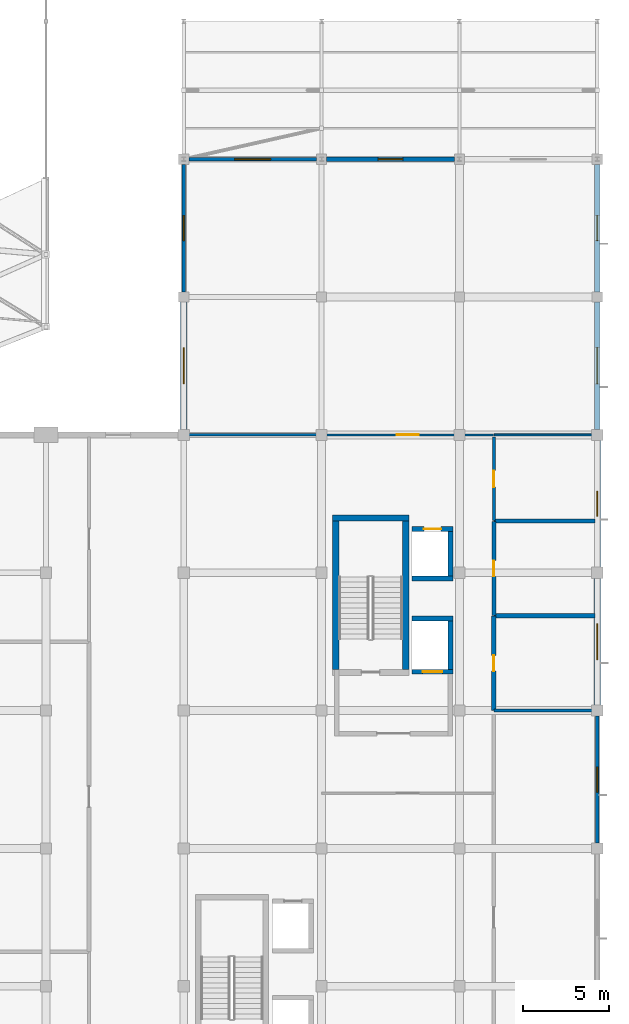
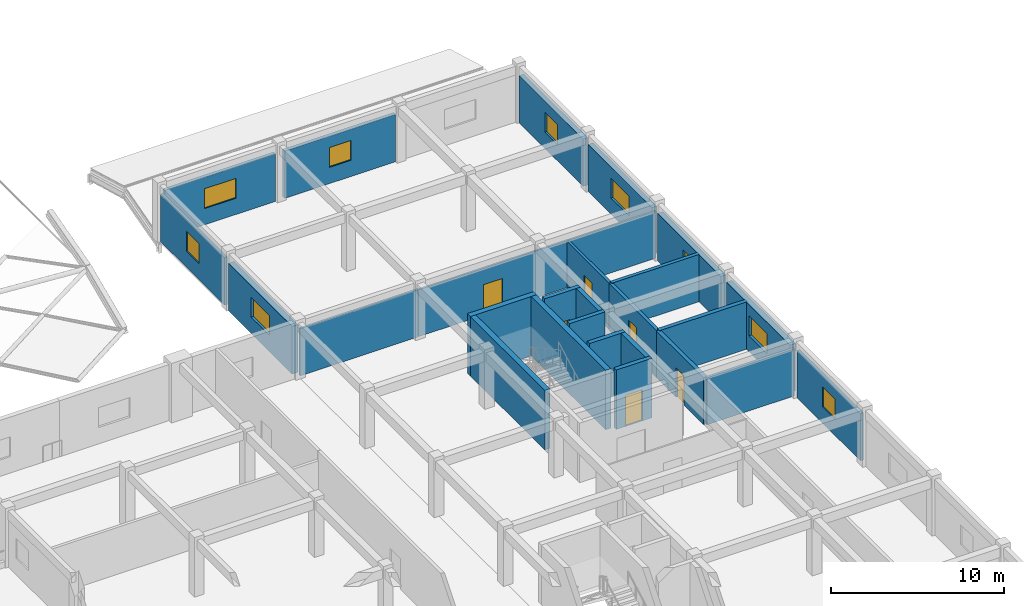
# One storey, part 40 of 54: 27 walls, 9 windows, 6 doors, 15 openings.
"""IFC4 building model written with IfcOpenShell, lengths in metres."""

from ifc_helpers import new_model, si_unit, direction, frame, frame_2d, origin, place, context, subcontext, project, spatial, rectangle, extrude, material, layer, layer_set, type_object, element, fill, save


model = new_model("IFC4")

# Units and contexts
model_context = context("Model", 3, precision=1e-05, world=origin(), true_north=direction((0.0, 1.0)))
body_context = subcontext(model_context, "Body", "Model", "MODEL_VIEW")
ifc_project = project(units=[si_unit("LENGTHUNIT", "METRE"), si_unit("AREAUNIT", "SQUARE_METRE"), si_unit("VOLUMEUNIT", "CUBIC_METRE"), si_unit("PLANEANGLEUNIT", "RADIAN"), si_unit("MASSUNIT", "GRAM", prefix="KILO")], contexts=[model_context])

# Site, building, storey
site_placement = place(None, origin())
site = spatial("IfcSite", under=ifc_project, at=site_placement, CompositionType="ELEMENT")
building_placement = place(site_placement, origin())
building = spatial("IfcBuilding", under=site, at=building_placement, Name="Kenh Van Central Station", CompositionType="ELEMENT")
storey_placement = place(building_placement, frame((0.0, 0.0, 15.0)))
storey = spatial("IfcBuildingStorey", under=building, at=storey_placement, Name="L03", CompositionType="ELEMENT", Elevation=15.0)

# Wall, opening, door
ifc_material_1 = material(Name="Concrete C40/50", Category="concrete")
ifc_layer_1 = layer(ifc_material_1, 0.280029296875, Name="Concrete C40/50")
ifc_layer_set_1 = layer_set([ifc_layer_1], Name="Concrete C40/50")
wall_type_1 = type_object("IfcWallType", Name="WL-CORE-280", PredefinedType="SHEAR", material=ifc_layer_set_1)
wall_1_placement = place(storey_placement, frame((165.25, 50.260009765625, 0.0), z_axis=(0.0, 0.0, 1.0), x_axis=(1.0, 0.0, 0.0)))
wall_1 = element("IfcWall", 1, at=wall_1_placement, inside=storey, type_object=wall_type_1, Name="L03 LIFT-FF2 shaft wall S", PredefinedType="SHEAR", context=body_context, shape_type="SweptSolid", body=[
    extrude(rectangle(XDim=2.3798828125, YDim=0.280029296875, at=frame_2d((1.18994140625, 0.0))), origin(), (0.0, 0.0, 1.0), 4.199951171875),
])
opening_1_placement = place(wall_1_placement, frame((0.614990234375, 0.0, 0.0)))
opening_1 = element("IfcOpeningElement", 2, at=opening_1_placement, cuts=wall_1, Name="Opening LD-FF1", PredefinedType="OPENING", context=body_context, shape_type="SweptSolid", body=[
    extrude(rectangle(XDim=1.14990234375, YDim=2.199951171875, at=frame_2d((0.574951171875, 1.10009765625))), frame((0.0, 0.14990234375, 0.0), z_axis=(0.0, -1.0, 0.0), x_axis=(1.0, 0.0, 0.0)), (0.0, 0.0, 1.0), 0.300048828125),
])
ifc_material_2 = material(Name="Champagne anodised aluminium", Category="aluminium")
door_type_1 = type_object("IfcDoorType", Name="DR-LIFT-1150x2200", OperationType="SLIDING_TO_LEFT", PredefinedType="DOOR", material=ifc_material_2)
door_1_placement = place(opening_1_placement, origin())
door_1 = element("IfcDoor", 3, at=door_1_placement, inside=storey, type_object=door_type_1, Name="L03 LIFT-FF2 sliding landing door", OperationType="SLIDING_TO_LEFT", OverallHeight=2.199951171875, OverallWidth=1.14990234375, PredefinedType="DOOR", context=body_context, shape_type="SweptSolid", body=[
    extrude(rectangle(XDim=1.14990234375, YDim=2.199951171875, at=frame_2d((0.574951171875, 1.10009765625))), frame((0.0, 0.02490234375, 0.0), z_axis=(0.0, -1.0, 0.0), x_axis=(1.0, 0.0, 0.0)), (0.0, 0.0, 1.0), 0.050048828125),
])
fill(opening_1, door_1)

# Walls
wall_2_placement = place(storey_placement, frame((165.25, 53.340087890625, 0.0), z_axis=(0.0, 0.0, 1.0), x_axis=(1.0, 0.0, 0.0)))
element("IfcWall", 4, at=wall_2_placement, inside=storey, type_object=wall_type_1, Name="L03 LIFT-FF2 shaft wall N", PredefinedType="SHEAR", context=body_context, shape_type="SweptSolid", body=[
    extrude(rectangle(XDim=2.3798828125, YDim=0.280029296875, at=frame_2d((1.18994140625, 0.0))), origin(), (0.0, 0.0, 1.0), 4.199951171875),
])
wall_3_placement = place(storey_placement, frame((167.489990234375, 50.39990234375, 0.0), z_axis=(0.0, 0.0, 1.0), x_axis=(0.0, 1.0, 0.0)))
element("IfcWall", 5, at=wall_3_placement, inside=storey, type_object=wall_type_1, Name="L03 LIFT-FF2 shaft wall E", PredefinedType="SHEAR", context=body_context, shape_type="SweptSolid", body=[
    extrude(rectangle(XDim=2.800048828125, YDim=0.280029296875, at=frame_2d((1.39990234375, 0.0))), origin(), (0.0, 0.0, 1.0), 4.199951171875),
])
wall_4_placement = place(storey_placement, frame((165.25, 55.659912109375, 0.0), z_axis=(0.0, 0.0, 1.0), x_axis=(1.0, 0.0, 0.0)))
element("IfcWall", 6, at=wall_4_placement, inside=storey, type_object=wall_type_1, Name="L03 LIFT-OP2 shaft wall S", PredefinedType="SHEAR", context=body_context, shape_type="SweptSolid", body=[
    extrude(rectangle(XDim=2.3798828125, YDim=0.280029296875, at=frame_2d((1.18994140625, 0.0))), origin(), (0.0, 0.0, 1.0), 4.199951171875),
])

# Wall, opening, door
wall_5_placement = place(storey_placement, frame((165.25, 58.5400390625, 0.0), z_axis=(0.0, 0.0, 1.0), x_axis=(1.0, 0.0, 0.0)))
wall_5 = element("IfcWall", 7, at=wall_5_placement, inside=storey, type_object=wall_type_1, Name="L03 LIFT-OP2 shaft wall N", PredefinedType="SHEAR", context=body_context, shape_type="SweptSolid", body=[
    extrude(rectangle(XDim=2.3798828125, YDim=0.280029296875, at=frame_2d((1.18994140625, 0.0))), origin(), (0.0, 0.0, 1.0), 4.199951171875),
])
opening_2_placement = place(wall_5_placement, frame((0.68994140625, 0.0, 0.0)))
opening_2 = element("IfcOpeningElement", 8, at=opening_2_placement, cuts=wall_5, Name="Opening LD-OP1", PredefinedType="OPENING", context=body_context, shape_type="SweptSolid", body=[
    extrude(rectangle(XDim=1.0, YDim=2.14990234375, at=frame_2d((0.5, 1.074951171875))), frame((0.0, 0.14990234375, 0.0), z_axis=(0.0, -1.0, 0.0), x_axis=(1.0, 0.0, 0.0)), (0.0, 0.0, 1.0), 0.300048828125),
])
door_type_2 = type_object("IfcDoorType", Name="DR-LIFT-1000x2150", OperationType="SLIDING_TO_LEFT", PredefinedType="DOOR", material=ifc_material_2)
door_2_placement = place(opening_2_placement, origin())
door_2 = element("IfcDoor", 9, at=door_2_placement, inside=storey, type_object=door_type_2, Name="L03 LIFT-OP2 sliding landing door", OperationType="SLIDING_TO_LEFT", OverallHeight=2.14990234375, OverallWidth=1.0, PredefinedType="DOOR", context=body_context, shape_type="SweptSolid", body=[
    extrude(rectangle(XDim=1.0, YDim=2.14990234375, at=frame_2d((0.5, 1.074951171875))), frame((0.0, 0.02490234375, 0.0), z_axis=(0.0, -1.0, 0.0), x_axis=(1.0, 0.0, 0.0)), (0.0, 0.0, 1.0), 0.050048828125),
])
fill(opening_2, door_2)

# Walls
wall_6_placement = place(storey_placement, frame((167.489990234375, 55.800048828125, 0.0), z_axis=(0.0, 0.0, 1.0), x_axis=(0.0, 1.0, 0.0)))
element("IfcWall", 10, at=wall_6_placement, inside=storey, type_object=wall_type_1, Name="L03 LIFT-OP2 shaft wall E", PredefinedType="SHEAR", context=body_context, shape_type="SweptSolid", body=[
    extrude(rectangle(XDim=2.599853515625, YDim=0.280029296875, at=frame_2d((1.2998046875, 0.0))), origin(), (0.0, 0.0, 1.0), 4.199951171875),
])
ifc_layer_2 = layer(ifc_material_1, 0.360107421875, Name="Concrete C40/50")
ifc_layer_set_2 = layer_set([ifc_layer_2], Name="Concrete C40/50")
wall_type_2 = type_object("IfcWallType", Name="WL-CORE-360", PredefinedType="SHEAR", material=ifc_layer_set_2)
wall_7_placement = place(storey_placement, frame((160.639892578125, 59.179931640625, 0.0), z_axis=(0.0, 0.0, 1.0), x_axis=(1.0, 0.0, 0.0)))
element("IfcWall", 11, at=wall_7_placement, inside=storey, type_object=wall_type_2, Name="L03 CORE-10 stair wall N", PredefinedType="SHEAR", context=body_context, shape_type="SweptSolid", body=[
    extrude(rectangle(XDim=4.420166015625, YDim=0.360107421875, at=frame_2d((2.2099609375, 0.0))), origin(), (0.0, 0.0, 1.0), 4.199951171875),
])
for number, where, z_axis, x_axis, name in (
    (12, (160.820068359375, 50.39990234375, 0.0), (0.0, 0.0, 1.0), (0.0, 1.0, 0.0), "L03 CORE-10 stair wall W"),
    (13, (164.8798828125, 50.39990234375, 0.0), (0.0, 0.0, 1.0), (0.0, 1.0, 0.0), "L03 CORE-10 stair wall E"),
):
    element("IfcWall", number, at=place(storey_placement, frame(where, z_axis=z_axis, x_axis=x_axis)), inside=storey, type_object=wall_type_2, Name=name, PredefinedType="SHEAR", context=body_context, shape_type="SweptSolid", body=[
        extrude(rectangle(XDim=8.60009765625, YDim=0.360107421875, at=frame_2d((4.300048828125, 0.0))), origin(), (0.0, 0.0, 1.0), 4.199951171875),
    ])

# Wall, opening, window
ifc_material_3 = material(Name="Saigon buff sandstone and terracotta masonry", Category="masonry")
ifc_layer_3 = layer(ifc_material_3, 0.31005859375, Name="Saigon buff sandstone and terracotta masonry")
ifc_layer_set_3 = layer_set([ifc_layer_3], Name="Saigon buff sandstone and terracotta masonry")
wall_type_3 = type_object("IfcWallType", Name="WL-EXT-310", PredefinedType="STANDARD", material=ifc_layer_set_3)
wall_8_placement = place(storey_placement, frame((176.0, 72.300048828125, 0.0), z_axis=(0.0, 0.0, 1.0), x_axis=(0.0, 1.0, 0.0)))
wall_8 = element("IfcWall", 14, at=wall_8_placement, inside=storey, type_object=wall_type_3, Name="L03 exterior wall 115", PredefinedType="STANDARD", context=body_context, shape_type="SweptSolid", body=[
    extrude(rectangle(XDim=7.39990234375, YDim=0.31005859375, at=frame_2d((3.699951171875, 0.0))), origin(), (0.0, 0.0, 1.0), 3.340087890625),
])
opening_3_placement = place(wall_8_placement, frame((2.97509765625, 0.0, 1.14990234375)))
opening_3 = element("IfcOpeningElement", 15, at=opening_3_placement, cuts=wall_8, Name="Opening WN-19", PredefinedType="OPENING", context=body_context, shape_type="SweptSolid", body=[
    extrude(rectangle(XDim=1.449951171875, YDim=1.39990234375, at=frame_2d((0.72509765625, 0.699951171875))), frame((0.0, 0.1650390625, 0.0), z_axis=(0.0, -1.0, 0.0), x_axis=(1.0, 0.0, 0.0)), (0.0, 0.0, 1.0), 0.330078125),
])
ifc_material_4 = material(Name="Double-glazed low-E laminated solar glass", Category="glass")
window_type_1 = type_object("IfcWindowType", Name="WN-OP03-1450x1400", PartitioningType="SINGLE_PANEL", PredefinedType="WINDOW", material=ifc_material_4)
window_1_placement = place(opening_3_placement, origin())
window_1 = element("IfcWindow", 16, at=window_1_placement, inside=storey, type_object=window_type_1, Name="L03 window 085", OverallHeight=1.39990234375, OverallWidth=1.449951171875, PartitioningType="SINGLE_PANEL", PredefinedType="WINDOW", context=body_context, shape_type="SweptSolid", body=[
    extrude(rectangle(XDim=1.449951171875, YDim=1.39990234375, at=frame_2d((0.72509765625, 0.699951171875))), frame((0.0, 0.030029296875, 0.0), z_axis=(0.0, -1.0, 0.0), x_axis=(1.0, 0.0, 0.0)), (0.0, 0.0, 1.0), 0.06005859375),
])
fill(opening_3, window_1)

ifc_layer_4 = layer(ifc_material_3, 0.330078125, Name="Saigon buff sandstone and terracotta masonry")
ifc_layer_set_4 = layer_set([ifc_layer_4], Name="Saigon buff sandstone and terracotta masonry")
wall_type_4 = type_object("IfcWallType", Name="WL-EXT-330", PredefinedType="STANDARD", material=ifc_layer_set_4)
wall_9_placement = place(storey_placement, frame((176.0, 64.324951171875, 0.0), z_axis=(0.0, 0.0, 1.0), x_axis=(0.0, 1.0, 0.0)))
wall_9 = element("IfcWall", 17, at=wall_9_placement, inside=storey, type_object=wall_type_4, Name="L03 exterior wall 114", PredefinedType="STANDARD", context=body_context, shape_type="SweptSolid", body=[
    extrude(rectangle(XDim=7.375, YDim=0.330078125, at=frame_2d((3.6875, 0.0))), origin(), (0.0, 0.0, 1.0), 3.340087890625),
])
opening_4_placement = place(wall_9_placement, frame((2.637451171875, 0.0, 1.14990234375)))
opening_4 = element("IfcOpeningElement", 18, at=opening_4_placement, cuts=wall_9, Name="Opening WN-18", PredefinedType="OPENING", context=body_context, shape_type="SweptSolid", body=[
    extrude(rectangle(XDim=2.10009765625, YDim=1.39990234375, at=frame_2d((1.050048828125, 0.699951171875))), frame((0.0, 0.175048828125, 0.0), z_axis=(0.0, -1.0, 0.0), x_axis=(1.0, 0.0, 0.0)), (0.0, 0.0, 1.0), 0.35009765625),
])
window_type_2 = type_object("IfcWindowType", Name="WN-OP03-2100x1400", PartitioningType="DOUBLE_PANEL_VERTICAL", PredefinedType="WINDOW", material=ifc_material_4)
window_2_placement = place(opening_4_placement, origin())
window_2 = element("IfcWindow", 19, at=window_2_placement, inside=storey, type_object=window_type_2, Name="L03 window 084", OverallHeight=1.39990234375, OverallWidth=2.10009765625, PartitioningType="SINGLE_PANEL", PredefinedType="WINDOW", context=body_context, shape_type="SweptSolid", body=[
    extrude(rectangle(XDim=2.10009765625, YDim=1.39990234375, at=frame_2d((1.050048828125, 0.699951171875))), frame((0.0, 0.030029296875, 0.0), z_axis=(0.0, -1.0, 0.0), x_axis=(1.0, 0.0, 0.0)), (0.0, 0.0, 1.0), 0.06005859375),
])
fill(opening_4, window_2)

ifc_layer_5 = layer(ifc_material_3, 0.35009765625, Name="Saigon buff sandstone and terracotta masonry")
ifc_layer_set_5 = layer_set([ifc_layer_5], Name="Saigon buff sandstone and terracotta masonry")
wall_type_5 = type_object("IfcWallType", Name="WL-EXT-350", PredefinedType="STANDARD", material=ifc_layer_set_5)
wall_10_placement = place(storey_placement, frame((176.0, 56.324951171875, 0.0), z_axis=(0.0, 0.0, 1.0), x_axis=(0.0, 1.0, 0.0)))
wall_10 = element("IfcWall", 20, at=wall_10_placement, inside=storey, type_object=wall_type_5, Name="L03 exterior wall 113", PredefinedType="STANDARD", context=body_context, shape_type="SweptSolid", body=[
    extrude(rectangle(XDim=7.35009765625, YDim=0.35009765625, at=frame_2d((3.675048828125, 0.0))), origin(), (0.0, 0.0, 1.0), 3.340087890625),
])
opening_5_placement = place(wall_10_placement, frame((2.949951171875, 0.0, 1.14990234375)))
opening_5 = element("IfcOpeningElement", 21, at=opening_5_placement, cuts=wall_10, Name="Opening WN-19", PredefinedType="OPENING", context=body_context, shape_type="SweptSolid", body=[
    extrude(rectangle(XDim=1.449951171875, YDim=1.39990234375, at=frame_2d((0.72509765625, 0.699951171875))), frame((0.0, 0.18505859375, 0.0), z_axis=(0.0, -1.0, 0.0), x_axis=(1.0, 0.0, 0.0)), (0.0, 0.0, 1.0), 0.3701171875),
])
window_3_placement = place(opening_5_placement, origin())
window_3 = element("IfcWindow", 22, at=window_3_placement, inside=storey, type_object=window_type_1, Name="L03 window 083", OverallHeight=1.39990234375, OverallWidth=1.449951171875, PartitioningType="SINGLE_PANEL", PredefinedType="WINDOW", context=body_context, shape_type="SweptSolid", body=[
    extrude(rectangle(XDim=1.449951171875, YDim=1.39990234375, at=frame_2d((0.72509765625, 0.699951171875))), frame((0.0, 0.030029296875, 0.0), z_axis=(0.0, -1.0, 0.0), x_axis=(1.0, 0.0, 0.0)), (0.0, 0.0, 1.0), 0.06005859375),
])
fill(opening_5, window_3)

ifc_layer_6 = layer(ifc_material_3, 0.3798828125, Name="Saigon buff sandstone and terracotta masonry")
ifc_layer_set_6 = layer_set([ifc_layer_6], Name="Saigon buff sandstone and terracotta masonry")
wall_type_6 = type_object("IfcWallType", Name="WL-EXT-380", PredefinedType="STANDARD", material=ifc_layer_set_6)
wall_11_placement = place(storey_placement, frame((176.0, 48.324951171875, 0.0), z_axis=(0.0, 0.0, 1.0), x_axis=(0.0, 1.0, 0.0)))
wall_11 = element("IfcWall", 23, at=wall_11_placement, inside=storey, type_object=wall_type_6, Name="L03 exterior wall 112", PredefinedType="STANDARD", context=body_context, shape_type="SweptSolid", body=[
    extrude(rectangle(XDim=7.35009765625, YDim=0.3798828125, at=frame_2d((3.675048828125, 0.0))), origin(), (0.0, 0.0, 1.0), 3.340087890625),
])
opening_6_placement = place(wall_11_placement, frame((2.625, 0.0, 1.14990234375)))
opening_6 = element("IfcOpeningElement", 24, at=opening_6_placement, cuts=wall_11, Name="Opening WN-18", PredefinedType="OPENING", context=body_context, shape_type="SweptSolid", body=[
    extrude(rectangle(XDim=2.10009765625, YDim=1.39990234375, at=frame_2d((1.050048828125, 0.699951171875))), frame((0.0, 0.199951171875, 0.0), z_axis=(0.0, -1.0, 0.0), x_axis=(1.0, 0.0, 0.0)), (0.0, 0.0, 1.0), 0.39990234375),
])
window_4_placement = place(opening_6_placement, origin())
window_4 = element("IfcWindow", 25, at=window_4_placement, inside=storey, type_object=window_type_2, Name="L03 window 082", OverallHeight=1.39990234375, OverallWidth=2.10009765625, PartitioningType="SINGLE_PANEL", PredefinedType="WINDOW", context=body_context, shape_type="SweptSolid", body=[
    extrude(rectangle(XDim=2.10009765625, YDim=1.39990234375, at=frame_2d((1.050048828125, 0.699951171875))), frame((0.0, 0.030029296875, 0.0), z_axis=(0.0, -1.0, 0.0), x_axis=(1.0, 0.0, 0.0)), (0.0, 0.0, 1.0), 0.06005859375),
])
fill(opening_6, window_4)

wall_12_placement = place(storey_placement, frame((152.0, 71.699951171875, 0.0), z_axis=(0.0, 0.0, 1.0), x_axis=(0.0, -1.0, 0.0)))
wall_12 = element("IfcWall", 26, at=wall_12_placement, inside=storey, type_object=wall_type_6, Name="L03 exterior wall 120", PredefinedType="STANDARD", context=body_context, shape_type="SweptSolid", body=[
    extrude(rectangle(XDim=7.375, YDim=0.3798828125, at=frame_2d((3.6875, 0.0))), origin(), (0.0, 0.0, 1.0), 3.360107421875),
])
opening_7_placement = place(wall_12_placement, frame((2.637451171875, 0.0, 1.14990234375)))
opening_7 = element("IfcOpeningElement", 27, at=opening_7_placement, cuts=wall_12, Name="Opening WN-18", PredefinedType="OPENING", context=body_context, shape_type="SweptSolid", body=[
    extrude(rectangle(XDim=2.10009765625, YDim=1.39990234375, at=frame_2d((1.050048828125, 0.699951171875))), frame((0.0, 0.199951171875, 0.0), z_axis=(0.0, -1.0, 0.0), x_axis=(1.0, 0.0, 0.0)), (0.0, 0.0, 1.0), 0.39990234375),
])
window_5_placement = place(opening_7_placement, origin())
window_5 = element("IfcWindow", 28, at=window_5_placement, inside=storey, type_object=window_type_2, Name="L03 window 090", OverallHeight=1.39990234375, OverallWidth=2.10009765625, PartitioningType="SINGLE_PANEL", PredefinedType="WINDOW", context=body_context, shape_type="SweptSolid", body=[
    extrude(rectangle(XDim=2.10009765625, YDim=1.39990234375, at=frame_2d((1.050048828125, 0.699951171875))), frame((0.0, 0.030029296875, 0.0), z_axis=(0.0, -1.0, 0.0), x_axis=(1.0, 0.0, 0.0)), (0.0, 0.0, 1.0), 0.06005859375),
])
fill(opening_7, window_5)

# Wall
ifc_material_5 = material(Name="Lightweight acoustic masonry blockwork", Category="masonry")
ifc_layer_7 = layer(ifc_material_5, 0.114990234375, Name="Lightweight acoustic masonry blockwork")
ifc_layer_set_7 = layer_set([ifc_layer_7], Name="Lightweight acoustic masonry blockwork")
wall_type_7 = type_object("IfcWallType", Name="WL-PART-115", PredefinedType="PARTITIONING", material=ifc_layer_set_7)
wall_13_placement = place(storey_placement, frame((170.02001953125, 64.0, 0.0), z_axis=(0.0, 0.0, 1.0), x_axis=(1.0, 0.0, 0.0)))
element("IfcWall", 29, at=wall_13_placement, inside=storey, type_object=wall_type_7, Name="L03 interior wall 0187", PredefinedType="PARTITIONING", context=body_context, shape_type="SweptSolid", body=[
    extrude(rectangle(XDim=5.85986328125, YDim=0.114990234375, at=frame_2d((2.929931640625, 0.0))), origin(), (0.0, 0.0, 1.0), 3.31005859375),
])

# Wall, opening, door
ifc_layer_8 = layer(ifc_material_5, 0.125, Name="Lightweight acoustic masonry blockwork")
ifc_layer_set_8 = layer_set([ifc_layer_8], Name="Lightweight acoustic masonry blockwork")
wall_type_8 = type_object("IfcWallType", Name="WL-PART-125", PredefinedType="PARTITIONING", material=ifc_layer_set_8)
wall_14_placement = place(storey_placement, frame((160.02001953125, 64.0, 0.0), z_axis=(0.0, 0.0, 1.0), x_axis=(1.0, 0.0, 0.0)))
wall_14 = element("IfcWall", 30, at=wall_14_placement, inside=storey, type_object=wall_type_8, Name="L03 interior wall 0186", PredefinedType="PARTITIONING", context=body_context, shape_type="SweptSolid", body=[
    extrude(rectangle(XDim=9.9599609375, YDim=0.125, at=frame_2d((4.97998046875, 0.0))), origin(), (0.0, 0.0, 1.0), 3.31005859375),
])
opening_8_placement = place(wall_14_placement, frame((4.35498046875, 0.0, 0.0)))
opening_8 = element("IfcOpeningElement", 31, at=opening_8_placement, cuts=wall_14, Name="Opening D-IN04", PredefinedType="OPENING", context=body_context, shape_type="SweptSolid", body=[
    extrude(rectangle(XDim=1.25, YDim=2.14990234375, at=frame_2d((0.625, 1.074951171875))), frame((0.0, 0.072509765625, 0.0), z_axis=(0.0, -1.0, 0.0), x_axis=(1.0, 0.0, 0.0)), (0.0, 0.0, 1.0), 0.14501953125),
])
ifc_material_6 = material(Name="Architectural hardwood timber", Category="wood")
door_type_3 = type_object("IfcDoorType", Name="DR-INT-1250x2150", OperationType="NOTDEFINED", PredefinedType="DOOR", material=ifc_material_6)
door_3_placement = place(opening_8_placement, origin())
door_3 = element("IfcDoor", 32, at=door_3_placement, inside=storey, type_object=door_type_3, Name="L03 interior door 0102", OperationType="SINGLE_SWING_LEFT", OverallHeight=2.14990234375, OverallWidth=1.25, PredefinedType="DOOR", context=body_context, shape_type="SweptSolid", body=[
    extrude(rectangle(XDim=1.25, YDim=2.14990234375, at=frame_2d((0.625, 1.074951171875))), frame((0.0, 0.02490234375, 0.0), z_axis=(0.0, -1.0, 0.0), x_axis=(1.0, 0.0, 0.0)), (0.0, 0.0, 1.0), 0.050048828125),
])
fill(opening_8, door_3)

# Walls
ifc_layer_9 = layer(ifc_material_5, 0.135009765625, Name="Lightweight acoustic masonry blockwork")
ifc_layer_set_9 = layer_set([ifc_layer_9], Name="Lightweight acoustic masonry blockwork")
wall_type_9 = type_object("IfcWallType", Name="WL-PART-135", PredefinedType="PARTITIONING", material=ifc_layer_set_9)
wall_15_placement = place(storey_placement, frame((152.1201171875, 64.0, 0.0), z_axis=(0.0, 0.0, 1.0), x_axis=(1.0, 0.0, 0.0)))
element("IfcWall", 33, at=wall_15_placement, inside=storey, type_object=wall_type_9, Name="L03 interior wall 0185", PredefinedType="PARTITIONING", context=body_context, shape_type="SweptSolid", body=[
    extrude(rectangle(XDim=7.85986328125, YDim=0.135009765625, at=frame_2d((3.929931640625, 0.0))), origin(), (0.0, 0.0, 1.0), 3.340087890625),
])
ifc_layer_10 = layer(ifc_material_5, 0.18505859375, Name="Lightweight acoustic masonry blockwork")
ifc_layer_set_10 = layer_set([ifc_layer_10], Name="Lightweight acoustic masonry blockwork")
wall_type_10 = type_object("IfcWallType", Name="WL-PLMB-185", PredefinedType="PLUMBINGWALL", material=ifc_layer_set_10)
wall_16_placement = place(storey_placement, frame((170.02001953125, 48.0, 0.0), z_axis=(0.0, 0.0, 1.0), x_axis=(1.0, 0.0, 0.0)))
element("IfcWall", 34, at=wall_16_placement, inside=storey, type_object=wall_type_10, Name="L03 interior wall 0179", PredefinedType="PLUMBINGWALL", context=body_context, shape_type="SweptSolid", body=[
    extrude(rectangle(XDim=5.85986328125, YDim=0.18505859375, at=frame_2d((2.929931640625, 0.0))), origin(), (0.0, 0.0, 1.0), 3.31005859375),
])

# Wall, opening, door
wall_17_placement = place(storey_placement, frame((170.0, 59.02001953125, 0.0), z_axis=(0.0, 0.0, 1.0), x_axis=(0.0, 1.0, 0.0)))
wall_17 = element("IfcWall", 35, at=wall_17_placement, inside=storey, type_object=wall_type_10, Name="L03 interior wall 0182", PredefinedType="PLUMBINGWALL", context=body_context, shape_type="SweptSolid", body=[
    extrude(rectangle(XDim=4.85986328125, YDim=0.18505859375, at=frame_2d((2.429931640625, 0.0))), origin(), (0.0, 0.0, 1.0), 3.31005859375),
])
opening_9_placement = place(wall_17_placement, frame((1.949951171875, 0.0, 0.0)))
opening_9 = element("IfcOpeningElement", 36, at=opening_9_placement, cuts=wall_17, Name="Opening D-IN08", PredefinedType="OPENING", context=body_context, shape_type="SweptSolid", body=[
    extrude(rectangle(XDim=0.9599609375, YDim=2.10009765625, at=frame_2d((0.47998046875, 1.050048828125))), frame((0.0, 0.1025390625, 0.0), z_axis=(0.0, -1.0, 0.0), x_axis=(1.0, 0.0, 0.0)), (0.0, 0.0, 1.0), 0.205078125),
])
door_type_4 = type_object("IfcDoorType", Name="DR-INT-960x2100", OperationType="NOTDEFINED", PredefinedType="DOOR", material=ifc_material_6)
door_4_placement = place(opening_9_placement, origin())
door_4 = element("IfcDoor", 37, at=door_4_placement, inside=storey, type_object=door_type_4, Name="L03 interior door 0101", OperationType="SINGLE_SWING_RIGHT", OverallHeight=2.10009765625, OverallWidth=0.9599609375, PredefinedType="DOOR", context=body_context, shape_type="SweptSolid", body=[
    extrude(rectangle(XDim=0.9599609375, YDim=2.10009765625, at=frame_2d((0.47998046875, 1.050048828125))), frame((0.0, 0.02490234375, 0.0), z_axis=(0.0, -1.0, 0.0), x_axis=(1.0, 0.0, 0.0)), (0.0, 0.0, 1.0), 0.050048828125),
])
fill(opening_9, door_4)

ifc_layer_11 = layer(ifc_material_5, 0.22998046875, Name="Lightweight acoustic masonry blockwork")
ifc_layer_set_11 = layer_set([ifc_layer_11], Name="Lightweight acoustic masonry blockwork")
wall_type_11 = type_object("IfcWallType", Name="WL-PLMB-230", PredefinedType="PLUMBINGWALL", material=ifc_layer_set_11)
wall_18_placement = place(storey_placement, frame((170.0, 53.52001953125, 0.0), z_axis=(0.0, 0.0, 1.0), x_axis=(0.0, 1.0, 0.0)))
wall_18 = element("IfcWall", 38, at=wall_18_placement, inside=storey, type_object=wall_type_11, Name="L03 interior wall 0181", PredefinedType="PLUMBINGWALL", context=body_context, shape_type="SweptSolid", body=[
    extrude(rectangle(XDim=5.4599609375, YDim=0.22998046875, at=frame_2d((2.72998046875, 0.0))), origin(), (0.0, 0.0, 1.0), 3.31005859375),
])
opening_10_placement = place(wall_18_placement, frame((2.27001953125, 0.0, 0.0)))
opening_10 = element("IfcOpeningElement", 39, at=opening_10_placement, cuts=wall_18, Name="Opening D-IN09", PredefinedType="OPENING", context=body_context, shape_type="SweptSolid", body=[
    extrude(rectangle(XDim=0.919921875, YDim=2.10009765625, at=frame_2d((0.4599609375, 1.050048828125))), frame((0.0, 0.125, 0.0), z_axis=(0.0, -1.0, 0.0), x_axis=(1.0, 0.0, 0.0)), (0.0, 0.0, 1.0), 0.25),
])
door_type_5 = type_object("IfcDoorType", Name="DR-INT-920x2100", OperationType="NOTDEFINED", PredefinedType="DOOR", material=ifc_material_6)
door_5_placement = place(opening_10_placement, origin())
door_5 = element("IfcDoor", 40, at=door_5_placement, inside=storey, type_object=door_type_5, Name="L03 interior door 0100", OperationType="SINGLE_SWING_LEFT", OverallHeight=2.10009765625, OverallWidth=0.919921875, PredefinedType="DOOR", context=body_context, shape_type="SweptSolid", body=[
    extrude(rectangle(XDim=0.919921875, YDim=2.10009765625, at=frame_2d((0.4599609375, 1.050048828125))), frame((0.0, 0.02490234375, 0.0), z_axis=(0.0, -1.0, 0.0), x_axis=(1.0, 0.0, 0.0)), (0.0, 0.0, 1.0), 0.050048828125),
])
fill(opening_10, door_5)

# Wall
wall_19_placement = place(storey_placement, frame((170.02001953125, 59.0, 0.0), z_axis=(0.0, 0.0, 1.0), x_axis=(1.0, 0.0, 0.0)))
element("IfcWall", 41, at=wall_19_placement, inside=storey, type_object=wall_type_11, Name="L03 interior wall 0184", PredefinedType="PLUMBINGWALL", context=body_context, shape_type="SweptSolid", body=[
    extrude(rectangle(XDim=5.85986328125, YDim=0.22998046875, at=frame_2d((2.929931640625, 0.0))), origin(), (0.0, 0.0, 1.0), 3.340087890625),
])

# Wall, opening, door
ifc_layer_12 = layer(ifc_material_5, 0.27001953125, Name="Lightweight acoustic masonry blockwork")
ifc_layer_set_12 = layer_set([ifc_layer_12], Name="Lightweight acoustic masonry blockwork")
wall_type_12 = type_object("IfcWallType", Name="WL-PLMB-270", PredefinedType="PLUMBINGWALL", material=ifc_layer_set_12)
wall_20_placement = place(storey_placement, frame((170.0, 48.02001953125, 0.0), z_axis=(0.0, 0.0, 1.0), x_axis=(0.0, 1.0, 0.0)))
wall_20 = element("IfcWall", 42, at=wall_20_placement, inside=storey, type_object=wall_type_12, Name="L03 interior wall 0180", PredefinedType="PLUMBINGWALL", context=body_context, shape_type="SweptSolid", body=[
    extrude(rectangle(XDim=5.4599609375, YDim=0.27001953125, at=frame_2d((2.72998046875, 0.0))), origin(), (0.0, 0.0, 1.0), 3.31005859375),
])
opening_11_placement = place(wall_20_placement, frame((2.27001953125, 0.0, 0.0)))
opening_11 = element("IfcOpeningElement", 43, at=opening_11_placement, cuts=wall_20, Name="Opening D-IN09", PredefinedType="OPENING", context=body_context, shape_type="SweptSolid", body=[
    extrude(rectangle(XDim=0.919921875, YDim=2.10009765625, at=frame_2d((0.4599609375, 1.050048828125))), frame((0.0, 0.14501953125, 0.0), z_axis=(0.0, -1.0, 0.0), x_axis=(1.0, 0.0, 0.0)), (0.0, 0.0, 1.0), 0.2900390625),
])
door_6_placement = place(opening_11_placement, origin())
door_6 = element("IfcDoor", 44, at=door_6_placement, inside=storey, type_object=door_type_5, Name="L03 interior door 0099", OperationType="SINGLE_SWING_RIGHT", OverallHeight=2.10009765625, OverallWidth=0.919921875, PredefinedType="DOOR", context=body_context, shape_type="SweptSolid", body=[
    extrude(rectangle(XDim=0.919921875, YDim=2.10009765625, at=frame_2d((0.4599609375, 1.050048828125))), frame((0.0, 0.02490234375, 0.0), z_axis=(0.0, -1.0, 0.0), x_axis=(1.0, 0.0, 0.0)), (0.0, 0.0, 1.0), 0.050048828125),
])
fill(opening_11, door_6)

# Wall
wall_21_placement = place(storey_placement, frame((170.02001953125, 53.5, 0.0), z_axis=(0.0, 0.0, 1.0), x_axis=(1.0, 0.0, 0.0)))
element("IfcWall", 45, at=wall_21_placement, inside=storey, type_object=wall_type_12, Name="L03 interior wall 0183", PredefinedType="PLUMBINGWALL", context=body_context, shape_type="SweptSolid", body=[
    extrude(rectangle(XDim=5.85986328125, YDim=0.27001953125, at=frame_2d((2.929931640625, 0.0))), origin(), (0.0, 0.0, 1.0), 3.340087890625),
])

# Wall, opening, window
ifc_material_7 = material(Name="Glazed terracotta architectural masonry", Category="masonry")
ifc_layer_13 = layer(ifc_material_7, 0.195068359375, Name="Glazed terracotta architectural masonry")
ifc_layer_set_13 = layer_set([ifc_layer_13], Name="Glazed terracotta architectural masonry")
wall_type_13 = type_object("IfcWallType", Name="WL-SLD-195", PredefinedType="SOLIDWALL", material=ifc_layer_set_13)
wall_22_placement = place(storey_placement, frame((176.0, 40.324951171875, 0.0), z_axis=(0.0, 0.0, 1.0), x_axis=(0.0, 1.0, 0.0)))
wall_22 = element("IfcWall", 46, at=wall_22_placement, inside=storey, type_object=wall_type_13, Name="L03 exterior wall 111", PredefinedType="SOLIDWALL", context=body_context, shape_type="SweptSolid", body=[
    extrude(rectangle(XDim=7.35009765625, YDim=0.195068359375, at=frame_2d((3.675048828125, 0.0))), origin(), (0.0, 0.0, 1.0), 3.340087890625),
])
opening_12_placement = place(wall_22_placement, frame((2.949951171875, 0.0, 1.14990234375)))
opening_12 = element("IfcOpeningElement", 47, at=opening_12_placement, cuts=wall_22, Name="Opening WN-19", PredefinedType="OPENING", context=body_context, shape_type="SweptSolid", body=[
    extrude(rectangle(XDim=1.449951171875, YDim=1.39990234375, at=frame_2d((0.72509765625, 0.699951171875))), frame((0.0, 0.107421875, 0.0), z_axis=(0.0, -1.0, 0.0), x_axis=(1.0, 0.0, 0.0)), (0.0, 0.0, 1.0), 0.215087890625),
])
window_6_placement = place(opening_12_placement, origin())
window_6 = element("IfcWindow", 48, at=window_6_placement, inside=storey, type_object=window_type_1, Name="L03 window 081", OverallHeight=1.39990234375, OverallWidth=1.449951171875, PartitioningType="SINGLE_PANEL", PredefinedType="WINDOW", context=body_context, shape_type="SweptSolid", body=[
    extrude(rectangle(XDim=1.449951171875, YDim=1.39990234375, at=frame_2d((0.72509765625, 0.699951171875))), frame((0.0, 0.030029296875, 0.0), z_axis=(0.0, -1.0, 0.0), x_axis=(1.0, 0.0, 0.0)), (0.0, 0.0, 1.0), 0.06005859375),
])
fill(opening_12, window_6)

wall_23_placement = place(storey_placement, frame((152.0, 79.699951171875, 0.0), z_axis=(0.0, 0.0, 1.0), x_axis=(0.0, -1.0, 0.0)))
wall_23 = element("IfcWall", 49, at=wall_23_placement, inside=storey, type_object=wall_type_13, Name="L03 exterior wall 119", PredefinedType="SOLIDWALL", context=body_context, shape_type="SweptSolid", body=[
    extrude(rectangle(XDim=7.39990234375, YDim=0.195068359375, at=frame_2d((3.699951171875, 0.0))), origin(), (0.0, 0.0, 1.0), 3.360107421875),
])
opening_13_placement = place(wall_23_placement, frame((2.97509765625, 0.0, 1.14990234375)))
opening_13 = element("IfcOpeningElement", 50, at=opening_13_placement, cuts=wall_23, Name="Opening WN-19", PredefinedType="OPENING", context=body_context, shape_type="SweptSolid", body=[
    extrude(rectangle(XDim=1.449951171875, YDim=1.39990234375, at=frame_2d((0.72509765625, 0.699951171875))), frame((0.0, 0.107421875, 0.0), z_axis=(0.0, -1.0, 0.0), x_axis=(1.0, 0.0, 0.0)), (0.0, 0.0, 1.0), 0.215087890625),
])
window_7_placement = place(opening_13_placement, origin())
window_7 = element("IfcWindow", 51, at=window_7_placement, inside=storey, type_object=window_type_1, Name="L03 window 089", OverallHeight=1.39990234375, OverallWidth=1.449951171875, PartitioningType="SINGLE_PANEL", PredefinedType="WINDOW", context=body_context, shape_type="SweptSolid", body=[
    extrude(rectangle(XDim=1.449951171875, YDim=1.39990234375, at=frame_2d((0.72509765625, 0.699951171875))), frame((0.0, 0.030029296875, 0.0), z_axis=(0.0, -1.0, 0.0), x_axis=(1.0, 0.0, 0.0)), (0.0, 0.0, 1.0), 0.06005859375),
])
fill(opening_13, window_7)

ifc_layer_14 = layer(ifc_material_7, 0.219970703125, Name="Glazed terracotta architectural masonry")
ifc_layer_set_14 = layer_set([ifc_layer_14], Name="Glazed terracotta architectural masonry")
wall_type_14 = type_object("IfcWallType", Name="WL-SLD-220", PredefinedType="SOLIDWALL", material=ifc_layer_set_14)
wall_24_placement = place(storey_placement, frame((159.699951171875, 80.0, 0.0), z_axis=(0.0, 0.0, 1.0), x_axis=(-1.0, 0.0, 0.0)))
wall_24 = element("IfcWall", 52, at=wall_24_placement, inside=storey, type_object=wall_type_14, Name="L03 exterior wall 118", PredefinedType="SOLIDWALL", context=body_context, shape_type="SweptSolid", body=[
    extrude(rectangle(XDim=7.39990234375, YDim=0.219970703125, at=frame_2d((3.699951171875, 0.0))), origin(), (0.0, 0.0, 1.0), 3.360107421875),
])
opening_14_placement = place(wall_24_placement, frame((2.64990234375, 0.0, 1.14990234375)))
opening_14 = element("IfcOpeningElement", 53, at=opening_14_placement, cuts=wall_24, Name="Opening WN-18", PredefinedType="OPENING", context=body_context, shape_type="SweptSolid", body=[
    extrude(rectangle(XDim=2.10009765625, YDim=1.39990234375, at=frame_2d((1.050048828125, 0.699951171875))), frame((0.0, 0.119873046875, 0.0), z_axis=(0.0, -1.0, 0.0), x_axis=(1.0, 0.0, 0.0)), (0.0, 0.0, 1.0), 0.239990234375),
])
window_8_placement = place(opening_14_placement, origin())
window_8 = element("IfcWindow", 54, at=window_8_placement, inside=storey, type_object=window_type_2, Name="L03 window 088", OverallHeight=1.39990234375, OverallWidth=2.10009765625, PartitioningType="SINGLE_PANEL", PredefinedType="WINDOW", context=body_context, shape_type="SweptSolid", body=[
    extrude(rectangle(XDim=2.10009765625, YDim=1.39990234375, at=frame_2d((1.050048828125, 0.699951171875))), frame((0.0, 0.030029296875, 0.0), z_axis=(0.0, -1.0, 0.0), x_axis=(1.0, 0.0, 0.0)), (0.0, 0.0, 1.0), 0.06005859375),
])
fill(opening_14, window_8)

ifc_layer_15 = layer(ifc_material_7, 0.239990234375, Name="Glazed terracotta architectural masonry")
ifc_layer_set_15 = layer_set([ifc_layer_15], Name="Glazed terracotta architectural masonry")
wall_type_15 = type_object("IfcWallType", Name="WL-SLD-240", PredefinedType="SOLIDWALL", material=ifc_layer_set_15)
wall_25_placement = place(storey_placement, frame((167.699951171875, 80.0, 0.0), z_axis=(0.0, 0.0, 1.0), x_axis=(-1.0, 0.0, 0.0)))
wall_25 = element("IfcWall", 55, at=wall_25_placement, inside=storey, type_object=wall_type_15, Name="L03 exterior wall 117", PredefinedType="SOLIDWALL", context=body_context, shape_type="SweptSolid", body=[
    extrude(rectangle(XDim=7.39990234375, YDim=0.239990234375, at=frame_2d((3.699951171875, 0.0))), origin(), (0.0, 0.0, 1.0), 3.340087890625),
])
opening_15_placement = place(wall_25_placement, frame((2.97509765625, 0.0, 1.14990234375)))
opening_15 = element("IfcOpeningElement", 56, at=opening_15_placement, cuts=wall_25, Name="Opening WN-19", PredefinedType="OPENING", context=body_context, shape_type="SweptSolid", body=[
    extrude(rectangle(XDim=1.449951171875, YDim=1.39990234375, at=frame_2d((0.72509765625, 0.699951171875))), frame((0.0, 0.1298828125, 0.0), z_axis=(0.0, -1.0, 0.0), x_axis=(1.0, 0.0, 0.0)), (0.0, 0.0, 1.0), 0.260009765625),
])
window_9_placement = place(opening_15_placement, origin())
window_9 = element("IfcWindow", 57, at=window_9_placement, inside=storey, type_object=window_type_1, Name="L03 window 087", OverallHeight=1.39990234375, OverallWidth=1.449951171875, PartitioningType="SINGLE_PANEL", PredefinedType="WINDOW", context=body_context, shape_type="SweptSolid", body=[
    extrude(rectangle(XDim=1.449951171875, YDim=1.39990234375, at=frame_2d((0.72509765625, 0.699951171875))), frame((0.0, 0.030029296875, 0.0), z_axis=(0.0, -1.0, 0.0), x_axis=(1.0, 0.0, 0.0)), (0.0, 0.0, 1.0), 0.06005859375),
])
fill(opening_15, window_9)

save(model, "model.ifc")
